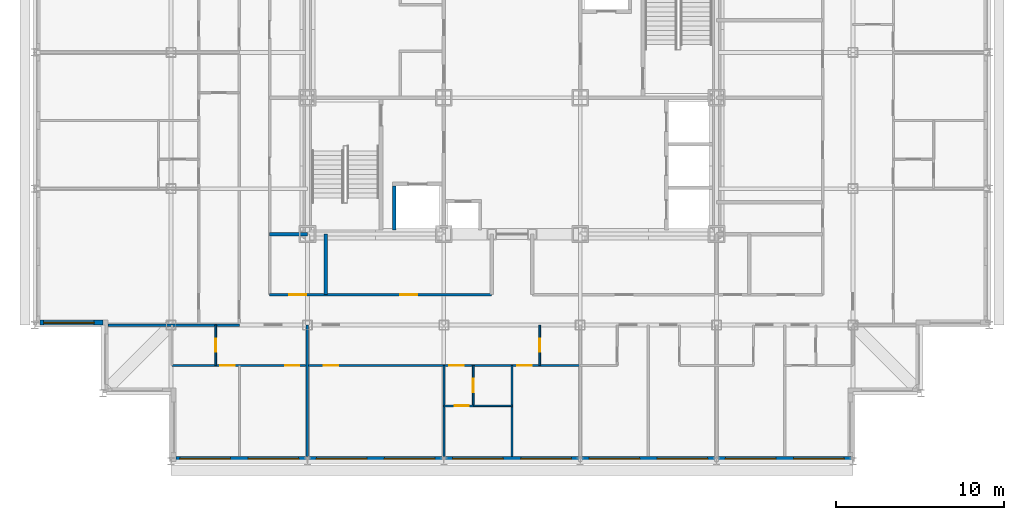
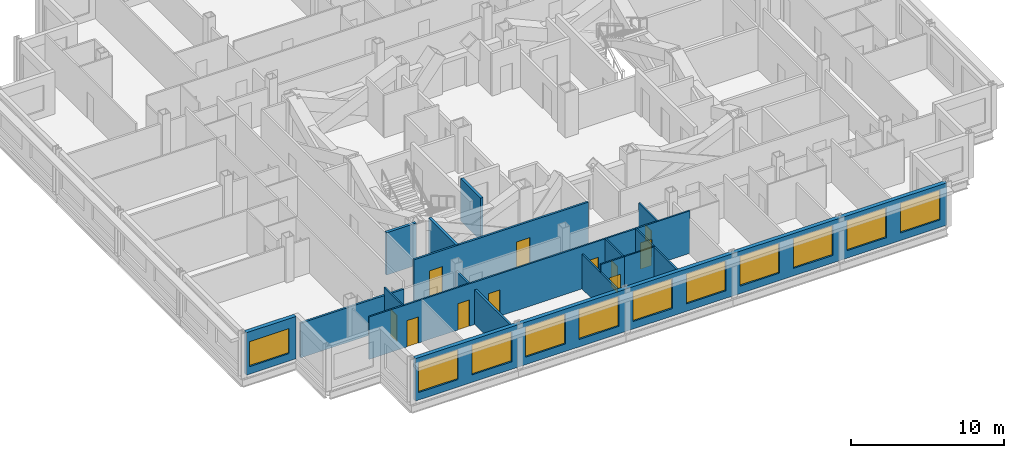
# One storey, part 4 of 12: 16 walls, 11 doors, 11 windows, 22 openings.
"""IFC4 building model written with IfcOpenShell, lengths in metres."""

import ifcopenshell
import ifcopenshell.guid

model = None  # the IFC model being written
_history = None  # IfcOwnerHistory: only IFC2X3 demands one
_inside = {}  # id of a spatial element -> (the spatial element, [elements in it])
_under = {}  # id of a project, library or spatial element -> (it, [spatial elements below it])
_declared = {}  # id of a project -> (the project, [libraries it declares])
_typed = {}  # id of a type object -> (the type object, [elements of that type])
_made_of = {}  # id of a material, layer set ... -> (it, [elements and type objects made of it])


def new_model(schema):
    """Start an empty IFC model of exactly this schema.

    Asked for "IFC4X3", IfcOpenShell would pick the latest addendum, in which some entities
    have other attributes; the version numbers below select the first issue.
    IFC2X3 requires an IfcOwnerHistory on every rooted entity: one is made here for all.
    """
    global model, _history
    if schema == "IFC4X3":
        model = ifcopenshell.file(schema_version=(4, 3, 0, 0))
    else:
        model = ifcopenshell.file(schema=schema)
    _inside.clear()
    _under.clear()
    _declared.clear()
    _typed.clear()
    _made_of.clear()
    _history = None
    if model.schema == "IFC2X3":
        org = make("IfcOrganization", Name="unknown")
        user = make(
            "IfcPersonAndOrganization",
            ThePerson=make("IfcPerson", FamilyName="unknown"),
            TheOrganization=org,
        )
        app = make(
            "IfcApplication",
            ApplicationDeveloper=org,
            Version="unknown",
            ApplicationFullName="unknown",
            ApplicationIdentifier="unknown",
        )
        _history = make(
            "IfcOwnerHistory",
            OwningUser=user,
            OwningApplication=app,
            ChangeAction="ADDED",
            CreationDate=0,
        )
    return model


def make(cls, **values):
    """One entity of the class cls with the attributes given. An attribute that is None is left unset."""
    return model.create_entity(
        cls, **{name: value for name, value in values.items() if value is not None}
    )


def rooted(cls, **values):
    """An entity with a GlobalId (a new one), such as an element, a storey or a relation."""
    return make(cls, GlobalId=ifcopenshell.guid.new(), OwnerHistory=_history, **values)


def si_unit(unit_type, name, prefix=None):
    """IfcSIUnit, for example si_unit("LENGTHUNIT", "METRE", prefix="MILLI")."""
    return make("IfcSIUnit", UnitType=unit_type, Prefix=prefix, Name=name)


def assignment(units):
    """IfcUnitAssignment: the units of a project."""
    return None if units is None else make("IfcUnitAssignment", Units=units)


def point(xyz):
    """IfcCartesianPoint."""
    return None if xyz is None else make("IfcCartesianPoint", Coordinates=xyz)


def direction(xyz):
    """IfcDirection."""
    return None if xyz is None else make("IfcDirection", DirectionRatios=xyz)


def frame(location, z_axis=None, x_axis=None):
    """IfcAxis2Placement3D, a coordinate frame: its origin and axes. An axis left out is left unset."""
    return make(
        "IfcAxis2Placement3D",
        Location=point(location),
        Axis=direction(z_axis),
        RefDirection=direction(x_axis),
    )


def frame_2d(location, x_axis=None):
    """IfcAxis2Placement2D, a coordinate frame in the plane: its origin and x axis."""
    return make(
        "IfcAxis2Placement2D", Location=point(location), RefDirection=direction(x_axis)
    )


def origin():
    """The frame at (0, 0, 0) with its axes left unset."""
    return frame((0.0, 0.0, 0.0))


def place(relative_to, where):
    """IfcLocalPlacement: puts the frame where relative to a parent placement (None: the world)."""
    return make(
        "IfcLocalPlacement", PlacementRelTo=relative_to, RelativePlacement=where
    )


def context(
    kind, dimensions, precision=None, world=None, true_north=None, identifier=None
):
    """IfcGeometricRepresentationContext, for example the 3D "Model" context."""
    return make(
        "IfcGeometricRepresentationContext",
        ContextIdentifier=identifier,
        ContextType=kind,
        CoordinateSpaceDimension=dimensions,
        Precision=precision,
        WorldCoordinateSystem=world,
        TrueNorth=true_north,
    )


def subcontext(parent, identifier, kind, view, scale=None):
    """IfcGeometricRepresentationSubContext, for example "Body" below "Model"."""
    return make(
        "IfcGeometricRepresentationSubContext",
        ContextIdentifier=identifier,
        ContextType=kind,
        ParentContext=parent,
        TargetScale=scale,
        TargetView=view,
    )


def project(units=None, contexts=None):
    """IfcProject with its units and contexts."""
    return rooted(
        "IfcProject",
        Name="project",
        RepresentationContexts=contexts,
        UnitsInContext=assignment(units),
    )


def spatial(cls, under=None, at=None, **own):
    """A site, building, storey or space (cls), placed at a placement, below another one or the project."""
    s = rooted(cls, ObjectPlacement=at, **own)
    if under is not None:
        _under.setdefault(under.id(), (under, []))[1].append(s)
    return s


def profile(cls, at=None, kind="AREA", **sizes):
    """A parametric profile (cls). Its sizes go by their IFC names, for example OverallWidth=200.0."""
    return make(cls, ProfileType=kind, Position=at, **sizes)


def rectangle(**sizes):
    """IfcRectangleProfileDef."""
    return profile("IfcRectangleProfileDef", **sizes)


def extrude(swept, where, along, depth):
    """IfcExtrudedAreaSolid: the profile swept, set in the frame where, extruded along a direction by depth."""
    return make(
        "IfcExtrudedAreaSolid",
        SweptArea=swept,
        Position=where,
        ExtrudedDirection=direction(along),
        Depth=depth,
    )


def shape(context_of_items, identifier, shape_type, items):
    """IfcShapeRepresentation: the items that make up one representation, for example the "Body"."""
    return make(
        "IfcShapeRepresentation",
        ContextOfItems=context_of_items,
        RepresentationIdentifier=identifier,
        RepresentationType=shape_type,
        Items=items,
    )


def material(Name=None, Category=None):
    """IfcMaterial."""
    return make("IfcMaterial", Name=Name, Category=Category)


def layer(
    of_material, thickness, ventilated=None, Name=None, Category=None, Priority=None
):
    """IfcMaterialLayer: one layer of a wall or slab, of a material (None: an air gap)."""
    return make(
        "IfcMaterialLayer",
        Material=of_material,
        LayerThickness=thickness,
        IsVentilated=ventilated,
        Name=Name,
        Category=Category,
        Priority=Priority,
    )


def layer_set(layers, Name=None):
    """IfcMaterialLayerSet."""
    return make("IfcMaterialLayerSet", MaterialLayers=layers, LayerSetName=Name)


def made_of(thing, what):
    """Note that an element or type object is made of a material, layer set ...; save() writes the relation."""
    if what is not None:
        _made_of.setdefault(what.id(), (what, []))[1].append(thing)
    return thing


def type_object(cls, material=None, **own):
    """A type object (cls), such as IfcWallType, which elements share."""
    return made_of(rooted(cls, **own), material)


def element(
    cls,
    number,
    at=None,
    inside=None,
    cuts=None,
    type_object=None,
    material=None,
    context=None,
    identifier="Body",
    shape_type=None,
    held_by="IfcProductDefinitionShape",
    body=None,
    shapes=None,
    **own,
):
    """One element of the class cls, such as IfcWall. Its Tag is "e" and its number.

    at: its placement. inside: the storey or other place that contains it. cuts: it is an
    opening in that element (IfcRelVoidsElement). A single representation is given by context,
    identifier, shape_type and body (its items); several are given by shapes. held_by: the class
    of the entity that holds the representations. save() writes the other relations.
    """
    e = rooted(cls, Tag="e%d" % number, ObjectPlacement=at, **own)
    if body is not None:
        shapes = [shape(context, identifier, shape_type, body)]
    if shapes is not None:
        e.Representation = make(held_by, Representations=shapes)
    if inside is not None:
        _inside.setdefault(inside.id(), (inside, []))[1].append(e)
    if cuts is not None:
        rooted(
            "IfcRelVoidsElement", RelatingBuildingElement=cuts, RelatedOpeningElement=e
        )
    if type_object is not None:
        _typed.setdefault(type_object.id(), (type_object, []))[1].append(e)
    return made_of(e, material)


def fill(opening, filler):
    """IfcRelFillsElement: the door or window that sits in an opening."""
    return rooted(
        "IfcRelFillsElement",
        RelatingOpeningElement=opening,
        RelatedBuildingElement=filler,
    )


def aggregate(whole, parts):
    """IfcRelAggregates: a whole, such as a stair, and the parts it consists of."""
    return rooted("IfcRelAggregates", RelatingObject=whole, RelatedObjects=parts)


def save(model, path):
    """Write the relations noted so far, then the file.

    IfcRelAggregates (storeys below a building ...), IfcRelContainedInSpatialStructure (elements
    in a storey), IfcRelDefinesByType, IfcRelAssociatesMaterial and IfcRelDeclares: one each for
    every whole, place, type object, material and project.
    """
    for whole, parts in _under.values():
        aggregate(whole, parts)
    for where, things in _inside.values():
        rooted(
            "IfcRelContainedInSpatialStructure",
            RelatedElements=things,
            RelatingStructure=where,
        )
    for kind, things in _typed.values():
        rooted("IfcRelDefinesByType", RelatedObjects=things, RelatingType=kind)
    for what, things in _made_of.values():
        rooted("IfcRelAssociatesMaterial", RelatedObjects=things, RelatingMaterial=what)
    for by, libraries in _declared.values():
        rooted("IfcRelDeclares", RelatingContext=by, RelatedDefinitions=libraries)
    model.write(path)


model = new_model("IFC4")

# Units and contexts
model_context = context("Model", 3, precision=1e-05, world=origin(), true_north=direction((0.0, 1.0)))
body_context = subcontext(model_context, "Body", "Model", "MODEL_VIEW")
ifc_project = project(units=[si_unit("LENGTHUNIT", "METRE"), si_unit("AREAUNIT", "SQUARE_METRE"), si_unit("VOLUMEUNIT", "CUBIC_METRE"), si_unit("PLANEANGLEUNIT", "RADIAN"), si_unit("MASSUNIT", "GRAM", prefix="KILO")], contexts=[model_context])

# Site, building, storey
site_placement = place(None, origin())
site = spatial("IfcSite", under=ifc_project, at=site_placement, CompositionType="ELEMENT")
building_placement = place(site_placement, origin())
building = spatial("IfcBuilding", under=site, at=building_placement, Name="Kopane Lantern Tower", CompositionType="ELEMENT")
storey_placement = place(building_placement, frame((0.0, 0.0, 213.60009765625)))
storey = spatial("IfcBuildingStorey", under=building, at=storey_placement, Name="L55", CompositionType="ELEMENT", Elevation=213.60009765625)

# Walls
ifc_material_1 = material(Name="Gypsum board on steel studs", Category="steel")
ifc_layer_1 = layer(ifc_material_1, 0.1201171875)
ifc_layer_set_1 = layer_set([ifc_layer_1], Name="APARTMENT INTERNAL WALL 120")
wall_type_1 = type_object("IfcWallType", Name="APARTMENT INTERNAL WALL 120", PredefinedType="PARTITIONING", material=ifc_layer_set_1)
wall_1_placement = place(storey_placement, frame((24.300048828125, 16.5, 0.0), z_axis=(0.0, 0.0, 1.0), x_axis=(0.0, -1.0, 0.0)))
element("IfcWall", 1, at=wall_1_placement, inside=storey, type_object=wall_type_1, Name="Apartment Internal Wall 120 L55", PredefinedType="PARTITIONING", context=body_context, shape_type="SweptSolid", body=[
    extrude(rectangle(XDim=5.39990234375, YDim=0.1201171875, at=frame_2d((2.699951171875, 0.0))), origin(), (0.0, 0.0, 1.0), 2.777587890625),
])
wall_2_placement = place(storey_placement, frame((28.35009765625, 16.5, 0.0), z_axis=(0.0, 0.0, 1.0), x_axis=(0.0, -1.0, 0.0)))
element("IfcWall", 2, at=wall_2_placement, inside=storey, type_object=wall_type_1, Name="Apartment Internal Wall 120 L55", PredefinedType="PARTITIONING", context=body_context, shape_type="SweptSolid", body=[
    extrude(rectangle(XDim=5.39990234375, YDim=0.1201171875, at=frame_2d((2.699951171875, 0.0))), origin(), (0.0, 0.0, 1.0), 3.389892578125),
])

# Wall, openings, doors
wall_3_placement = place(storey_placement, frame((8.14990234375, 16.5, 0.0), z_axis=(0.0, 0.0, 1.0), x_axis=(1.0, 0.0, 0.0)))
wall_3 = element("IfcWall", 3, at=wall_3_placement, inside=storey, type_object=wall_type_1, Name="Apartment Internal Wall 120 L55", PredefinedType="PARTITIONING", context=body_context, shape_type="SweptSolid", body=[
    extrude(rectangle(XDim=24.25, YDim=0.1201171875, at=frame_2d((12.125, 0.0))), origin(), (0.0, 0.0, 1.0), 3.389892578125),
])
opening_1_placement = place(wall_3_placement, frame((9.02490234375, 0.0, 0.0)))
opening_1 = element("IfcOpeningElement", 4, at=opening_1_placement, cuts=wall_3, Name="Opening L55-014", PredefinedType="OPENING", context=body_context, shape_type="SweptSolid", body=[
    extrude(rectangle(XDim=0.85009765625, YDim=2.10009765625, at=frame_2d((0.425048828125, 1.050048828125))), frame((0.0, 0.070068359375, 0.0), z_axis=(0.0, -1.0, 0.0), x_axis=(1.0, 0.0, 0.0)), (0.0, 0.0, 1.0), 0.14013671875),
])
opening_2_placement = place(wall_3_placement, frame((16.47509765625, 0.0, 0.0)))
opening_2 = element("IfcOpeningElement", 5, at=opening_2_placement, cuts=wall_3, Name="Opening L55-016", PredefinedType="OPENING", context=body_context, shape_type="SweptSolid", body=[
    extrude(rectangle(XDim=0.85009765625, YDim=2.10009765625, at=frame_2d((0.425048828125, 1.050048828125))), frame((0.0, 0.070068359375, 0.0), z_axis=(0.0, -1.0, 0.0), x_axis=(1.0, 0.0, 0.0)), (0.0, 0.0, 1.0), 0.14013671875),
])
opening_3_placement = place(wall_3_placement, frame((20.52490234375, 0.0, 0.0)))
opening_3 = element("IfcOpeningElement", 6, at=opening_3_placement, cuts=wall_3, Name="Opening L55-017", PredefinedType="OPENING", context=body_context, shape_type="SweptSolid", body=[
    extrude(rectangle(XDim=0.85009765625, YDim=2.10009765625, at=frame_2d((0.425048828125, 1.050048828125))), frame((0.0, 0.070068359375, 0.0), z_axis=(0.0, -1.0, 0.0), x_axis=(1.0, 0.0, 0.0)), (0.0, 0.0, 1.0), 0.14013671875),
])
opening_4_placement = place(wall_3_placement, frame((6.72509765625, 0.0, 0.0)))
opening_4 = element("IfcOpeningElement", 7, at=opening_4_placement, cuts=wall_3, Name="Opening L55-055", PredefinedType="OPENING", context=body_context, shape_type="SweptSolid", body=[
    extrude(rectangle(XDim=0.85009765625, YDim=2.10009765625, at=frame_2d((0.425048828125, 1.050048828125))), frame((0.0, 0.070068359375, 0.0), z_axis=(0.0, -1.0, 0.0), x_axis=(1.0, 0.0, 0.0)), (0.0, 0.0, 1.0), 0.14013671875),
])
opening_5_placement = place(wall_3_placement, frame((2.875, 0.0, 0.0)))
opening_5 = element("IfcOpeningElement", 8, at=opening_5_placement, cuts=wall_3, Name="Opening L55-057", PredefinedType="OPENING", context=body_context, shape_type="SweptSolid", body=[
    extrude(rectangle(XDim=0.85009765625, YDim=2.10009765625, at=frame_2d((0.425048828125, 1.050048828125))), frame((0.0, 0.070068359375, 0.0), z_axis=(0.0, -1.0, 0.0), x_axis=(1.0, 0.0, 0.0)), (0.0, 0.0, 1.0), 0.14013671875),
])
ifc_material_2 = material(Name="Timber door set", Category="wood")
door_type_1 = type_object("IfcDoorType", Name="DOOR D4 850x2100", OperationType="SINGLE_SWING_LEFT", PredefinedType="DOOR", material=ifc_material_2)
door_1_placement = place(opening_1_placement, origin())
door_1 = element("IfcDoor", 9, at=door_1_placement, inside=storey, type_object=door_type_1, Name="Door L55-014", OperationType="SINGLE_SWING_RIGHT", OverallHeight=2.10009765625, OverallWidth=0.85009765625, PredefinedType="DOOR", context=body_context, shape_type="SweptSolid", body=[
    extrude(rectangle(XDim=0.85009765625, YDim=2.10009765625, at=frame_2d((0.425048828125, 1.050048828125))), frame((0.0, 0.02490234375, 0.0), z_axis=(0.0, -1.0, 0.0), x_axis=(1.0, 0.0, 0.0)), (0.0, 0.0, 1.0), 0.050048828125),
])
fill(opening_1, door_1)
door_2_placement = place(opening_2_placement, origin())
door_2 = element("IfcDoor", 10, at=door_2_placement, inside=storey, type_object=door_type_1, Name="Door L55-016", OperationType="SINGLE_SWING_RIGHT", OverallHeight=2.10009765625, OverallWidth=0.85009765625, PredefinedType="DOOR", context=body_context, shape_type="SweptSolid", body=[
    extrude(rectangle(XDim=0.85009765625, YDim=2.10009765625, at=frame_2d((0.425048828125, 1.050048828125))), frame((0.0, 0.02490234375, 0.0), z_axis=(0.0, -1.0, 0.0), x_axis=(1.0, 0.0, 0.0)), (0.0, 0.0, 1.0), 0.050048828125),
])
fill(opening_2, door_2)
door_3_placement = place(opening_3_placement, origin())
door_3 = element("IfcDoor", 11, at=door_3_placement, inside=storey, type_object=door_type_1, Name="Door L55-017", OperationType="SINGLE_SWING_RIGHT", OverallHeight=2.10009765625, OverallWidth=0.85009765625, PredefinedType="DOOR", context=body_context, shape_type="SweptSolid", body=[
    extrude(rectangle(XDim=0.85009765625, YDim=2.10009765625, at=frame_2d((0.425048828125, 1.050048828125))), frame((0.0, 0.02490234375, 0.0), z_axis=(0.0, -1.0, 0.0), x_axis=(1.0, 0.0, 0.0)), (0.0, 0.0, 1.0), 0.050048828125),
])
fill(opening_3, door_3)
door_4_placement = place(opening_4_placement, origin())
door_4 = element("IfcDoor", 12, at=door_4_placement, inside=storey, type_object=door_type_1, Name="Door L55-055", OperationType="SINGLE_SWING_RIGHT", OverallHeight=2.10009765625, OverallWidth=0.85009765625, PredefinedType="DOOR", context=body_context, shape_type="SweptSolid", body=[
    extrude(rectangle(XDim=0.85009765625, YDim=2.10009765625, at=frame_2d((0.425048828125, 1.050048828125))), frame((0.0, 0.02490234375, 0.0), z_axis=(0.0, -1.0, 0.0), x_axis=(1.0, 0.0, 0.0)), (0.0, 0.0, 1.0), 0.050048828125),
])
fill(opening_4, door_4)
door_5_placement = place(opening_5_placement, origin())
door_5 = element("IfcDoor", 13, at=door_5_placement, inside=storey, type_object=door_type_1, Name="Door L55-057", OperationType="SINGLE_SWING_LEFT", OverallHeight=2.10009765625, OverallWidth=0.85009765625, PredefinedType="DOOR", context=body_context, shape_type="SweptSolid", body=[
    extrude(rectangle(XDim=0.85009765625, YDim=2.10009765625, at=frame_2d((0.425048828125, 1.050048828125))), frame((0.0, 0.02490234375, 0.0), z_axis=(0.0, -1.0, 0.0), x_axis=(1.0, 0.0, 0.0)), (0.0, 0.0, 1.0), 0.050048828125),
])
fill(opening_5, door_5)

# Wall, opening, door
wall_4_placement = place(storey_placement, frame((26.06005859375, 14.10009765625, 0.0), z_axis=(0.0, 0.0, 1.0), x_axis=(-1.0, 0.0, 0.0)))
wall_4 = element("IfcWall", 14, at=wall_4_placement, inside=storey, type_object=wall_type_1, Name="Apartment Internal Wall 120 L55", PredefinedType="PARTITIONING", context=body_context, shape_type="SweptSolid", body=[
    extrude(rectangle(XDim=1.760009765625, YDim=0.1201171875, at=frame_2d((0.8798828125, 0.0))), origin(), (0.0, 0.0, 1.0), 3.389892578125),
])
opening_6_placement = place(wall_4_placement, frame((0.27490234375, 0.0, 0.0)))
opening_6 = element("IfcOpeningElement", 15, at=opening_6_placement, cuts=wall_4, Name="Opening L55-069", PredefinedType="OPENING", context=body_context, shape_type="SweptSolid", body=[
    extrude(rectangle(XDim=0.85009765625, YDim=2.10009765625, at=frame_2d((0.425048828125, 1.050048828125))), frame((0.0, 0.070068359375, 0.0), z_axis=(0.0, -1.0, 0.0), x_axis=(1.0, 0.0, 0.0)), (0.0, 0.0, 1.0), 0.14013671875),
])
door_6_placement = place(opening_6_placement, origin())
door_6 = element("IfcDoor", 16, at=door_6_placement, inside=storey, type_object=door_type_1, Name="Door L55-069", OperationType="SINGLE_SWING_RIGHT", OverallHeight=2.10009765625, OverallWidth=0.85009765625, PredefinedType="DOOR", context=body_context, shape_type="SweptSolid", body=[
    extrude(rectangle(XDim=0.85009765625, YDim=2.10009765625, at=frame_2d((0.425048828125, 1.050048828125))), frame((0.0, 0.02490234375, 0.0), z_axis=(0.0, -1.0, 0.0), x_axis=(1.0, 0.0, 0.0)), (0.0, 0.0, 1.0), 0.050048828125),
])
fill(opening_6, door_6)

ifc_material_3 = material(Name="Moisture-resistant board on steel studs", Category="steel")
ifc_layer_2 = layer(ifc_material_3, 0.10009765625)
ifc_layer_set_2 = layer_set([ifc_layer_2], Name="BATHROOM WALL 100")
wall_type_2 = type_object("IfcWallType", Name="BATHROOM WALL 100", PredefinedType="PARTITIONING", material=ifc_layer_set_2)
wall_5_placement = place(storey_placement, frame((30.0, 18.89990234375, 0.0), z_axis=(0.0, 0.0, 1.0), x_axis=(0.0, -1.0, 0.0)))
wall_5 = element("IfcWall", 17, at=wall_5_placement, inside=storey, type_object=wall_type_2, Name="Bathroom Wall 100 L55", PredefinedType="PARTITIONING", context=body_context, shape_type="SweptSolid", body=[
    extrude(rectangle(XDim=2.39990234375, YDim=0.10009765625, at=frame_2d((1.199951171875, 0.0))), origin(), (0.0, 0.0, 1.0), 3.389892578125),
])
opening_7_placement = place(wall_5_placement, frame((0.800048828125, 0.0, 0.0)))
opening_7 = element("IfcOpeningElement", 18, at=opening_7_placement, cuts=wall_5, Name="Opening L55-012", PredefinedType="OPENING", context=body_context, shape_type="SweptSolid", body=[
    extrude(rectangle(XDim=0.800048828125, YDim=2.10009765625, at=frame_2d((0.39990234375, 1.050048828125))), frame((0.0, 0.06005859375, 0.0), z_axis=(0.0, -1.0, 0.0), x_axis=(1.0, 0.0, 0.0)), (0.0, 0.0, 1.0), 0.1201171875),
])
ifc_material_4 = material(Name="Timber door set", Category="wood")
door_type_2 = type_object("IfcDoorType", Name="DOOR D2 800x2100", OperationType="SINGLE_SWING_LEFT", PredefinedType="DOOR", material=ifc_material_4)
door_7_placement = place(opening_7_placement, origin())
door_7 = element("IfcDoor", 19, at=door_7_placement, inside=storey, type_object=door_type_2, Name="Door L55-012", OperationType="SINGLE_SWING_LEFT", OverallHeight=2.10009765625, OverallWidth=0.800048828125, PredefinedType="DOOR", context=body_context, shape_type="SweptSolid", body=[
    extrude(rectangle(XDim=0.800048828125, YDim=2.10009765625, at=frame_2d((0.39990234375, 1.050048828125))), frame((0.0, 0.02490234375, 0.0), z_axis=(0.0, -1.0, 0.0), x_axis=(1.0, 0.0, 0.0)), (0.0, 0.0, 1.0), 0.050048828125),
])
fill(opening_7, door_7)

wall_6_placement = place(storey_placement, frame((26.050048828125, 16.5, 0.0), z_axis=(0.0, 0.0, 1.0), x_axis=(0.0, -1.0, 0.0)))
wall_6 = element("IfcWall", 20, at=wall_6_placement, inside=storey, type_object=wall_type_2, Name="Bathroom Wall 100 L55", PredefinedType="PARTITIONING", context=body_context, shape_type="SweptSolid", body=[
    extrude(rectangle(XDim=2.39990234375, YDim=0.10009765625, at=frame_2d((1.199951171875, 0.0))), origin(), (0.0, 0.0, 1.0), 3.389892578125),
])
opening_8_placement = place(wall_6_placement, frame((0.800048828125, 0.0, 0.0)))
opening_8 = element("IfcOpeningElement", 21, at=opening_8_placement, cuts=wall_6, Name="Opening L55-015", PredefinedType="OPENING", context=body_context, shape_type="SweptSolid", body=[
    extrude(rectangle(XDim=0.800048828125, YDim=2.10009765625, at=frame_2d((0.39990234375, 1.050048828125))), frame((0.0, 0.06005859375, 0.0), z_axis=(0.0, -1.0, 0.0), x_axis=(1.0, 0.0, 0.0)), (0.0, 0.0, 1.0), 0.1201171875),
])
door_8_placement = place(opening_8_placement, origin())
door_8 = element("IfcDoor", 22, at=door_8_placement, inside=storey, type_object=door_type_2, Name="Door L55-015", OperationType="SINGLE_SWING_LEFT", OverallHeight=2.10009765625, OverallWidth=0.800048828125, PredefinedType="DOOR", context=body_context, shape_type="SweptSolid", body=[
    extrude(rectangle(XDim=0.800048828125, YDim=2.10009765625, at=frame_2d((0.39990234375, 1.050048828125))), frame((0.0, 0.02490234375, 0.0), z_axis=(0.0, -1.0, 0.0), x_axis=(1.0, 0.0, 0.0)), (0.0, 0.0, 1.0), 0.050048828125),
])
fill(opening_8, door_8)

# Wall
wall_7_placement = place(storey_placement, frame((26.050048828125, 14.10009765625, 0.0), z_axis=(0.0, 0.0, 1.0), x_axis=(1.0, 0.0, 0.0)))
element("IfcWall", 23, at=wall_7_placement, inside=storey, type_object=wall_type_2, Name="Bathroom Wall 100 L55", PredefinedType="PARTITIONING", context=body_context, shape_type="SweptSolid", body=[
    extrude(rectangle(XDim=2.300048828125, YDim=0.10009765625, at=frame_2d((1.14990234375, 0.0))), origin(), (0.0, 0.0, 1.0), 3.389892578125),
])

# Wall, opening, door
wall_8_placement = place(storey_placement, frame((10.75, 18.89990234375, 0.0), z_axis=(0.0, 0.0, 1.0), x_axis=(0.0, -1.0, 0.0)))
wall_8 = element("IfcWall", 24, at=wall_8_placement, inside=storey, type_object=wall_type_2, Name="Bathroom Wall 100 L55", PredefinedType="PARTITIONING", context=body_context, shape_type="SweptSolid", body=[
    extrude(rectangle(XDim=2.39990234375, YDim=0.10009765625, at=frame_2d((1.199951171875, 0.0))), origin(), (0.0, 0.0, 1.0), 3.389892578125),
])
opening_9_placement = place(wall_8_placement, frame((0.800048828125, 0.0, 0.0)))
opening_9 = element("IfcOpeningElement", 25, at=opening_9_placement, cuts=wall_8, Name="Opening L55-056", PredefinedType="OPENING", context=body_context, shape_type="SweptSolid", body=[
    extrude(rectangle(XDim=0.800048828125, YDim=2.10009765625, at=frame_2d((0.39990234375, 1.050048828125))), frame((0.0, 0.06005859375, 0.0), z_axis=(0.0, -1.0, 0.0), x_axis=(1.0, 0.0, 0.0)), (0.0, 0.0, 1.0), 0.1201171875),
])
door_9_placement = place(opening_9_placement, origin())
door_9 = element("IfcDoor", 26, at=door_9_placement, inside=storey, type_object=door_type_2, Name="Door L55-056", OperationType="SINGLE_SWING_RIGHT", OverallHeight=2.10009765625, OverallWidth=0.800048828125, PredefinedType="DOOR", context=body_context, shape_type="SweptSolid", body=[
    extrude(rectangle(XDim=0.800048828125, YDim=2.10009765625, at=frame_2d((0.39990234375, 1.050048828125))), frame((0.0, 0.02490234375, 0.0), z_axis=(0.0, -1.0, 0.0), x_axis=(1.0, 0.0, 0.0)), (0.0, 0.0, 1.0), 0.050048828125),
])
fill(opening_9, door_9)

# Wall, openings, doors
ifc_material_5 = material(Name="Gypsum board on steel studs", Category="steel")
ifc_layer_3 = layer(ifc_material_5, 0.14990234375)
ifc_layer_set_3 = layer_set([ifc_layer_3], Name="CORRIDOR WALL 150 EI 60")
wall_type_3 = type_object("IfcWallType", Name="CORRIDOR WALL 150 EI 60", PredefinedType="PARTITIONING", material=ifc_layer_set_3)
wall_9_placement = place(storey_placement, frame((13.949951171875, 20.699951171875, 0.0), z_axis=(0.0, 0.0, 1.0), x_axis=(1.0, 0.0, 0.0)))
wall_9 = element("IfcWall", 27, at=wall_9_placement, inside=storey, type_object=wall_type_3, Name="Corridor Wall 150 Ei 60 L55", PredefinedType="PARTITIONING", context=body_context, shape_type="SweptSolid", body=[
    extrude(rectangle(XDim=13.18994140625, YDim=0.14990234375, at=frame_2d((6.594970703125, 0.0))), origin(), (0.0, 0.0, 1.0), 3.389892578125),
])
opening_10_placement = place(wall_9_placement, frame((1.166748046875, 0.0, 0.0)))
opening_10 = element("IfcOpeningElement", 28, at=opening_10_placement, cuts=wall_9, Name="Opening L55-007", PredefinedType="OPENING", context=body_context, shape_type="SweptSolid", body=[
    extrude(rectangle(XDim=1.0, YDim=2.10009765625, at=frame_2d((0.5, 1.050048828125))), frame((0.0, 0.0849609375, 0.0), z_axis=(0.0, -1.0, 0.0), x_axis=(1.0, 0.0, 0.0)), (0.0, 0.0, 1.0), 0.169921875),
])
opening_11_placement = place(wall_9_placement, frame((7.7666015625, 0.0, 0.0)))
opening_11 = element("IfcOpeningElement", 29, at=opening_11_placement, cuts=wall_9, Name="Opening L55-008", PredefinedType="OPENING", context=body_context, shape_type="SweptSolid", body=[
    extrude(rectangle(XDim=1.0, YDim=2.10009765625, at=frame_2d((0.5, 1.050048828125))), frame((0.0, 0.0849609375, 0.0), z_axis=(0.0, -1.0, 0.0), x_axis=(1.0, 0.0, 0.0)), (0.0, 0.0, 1.0), 0.169921875),
])
ifc_material_6 = material(Name="Steel door set", Category="steel")
door_type_3 = type_object("IfcDoorType", Name="DOOR D5 1000x2100 FD60", OperationType="SINGLE_SWING_LEFT", PredefinedType="DOOR", material=ifc_material_6)
door_10_placement = place(opening_10_placement, origin())
door_10 = element("IfcDoor", 30, at=door_10_placement, inside=storey, type_object=door_type_3, Name="Door L55-007", OperationType="SINGLE_SWING_LEFT", OverallHeight=2.10009765625, OverallWidth=1.0, PredefinedType="DOOR", context=body_context, shape_type="SweptSolid", body=[
    extrude(rectangle(XDim=1.0, YDim=2.10009765625, at=frame_2d((0.5, 1.050048828125))), frame((0.0, 0.02490234375, 0.0), z_axis=(0.0, -1.0, 0.0), x_axis=(1.0, 0.0, 0.0)), (0.0, 0.0, 1.0), 0.050048828125),
])
fill(opening_10, door_10)
door_11_placement = place(opening_11_placement, origin())
door_11 = element("IfcDoor", 31, at=door_11_placement, inside=storey, type_object=door_type_3, Name="Door L55-008", OperationType="SINGLE_SWING_RIGHT", OverallHeight=2.10009765625, OverallWidth=1.0, PredefinedType="DOOR", context=body_context, shape_type="SweptSolid", body=[
    extrude(rectangle(XDim=1.0, YDim=2.10009765625, at=frame_2d((0.5, 1.050048828125))), frame((0.0, 0.02490234375, 0.0), z_axis=(0.0, -1.0, 0.0), x_axis=(1.0, 0.0, 0.0)), (0.0, 0.0, 1.0), 0.050048828125),
])
fill(opening_11, door_11)

# Walls
ifc_material_7 = material(Name="Gypsum board on steel studs", Category="steel")
ifc_layer_4 = layer(ifc_material_7, 0.14990234375)
ifc_layer_set_4 = layer_set([ifc_layer_4], Name="DEMISING WALL 150 EI 60")
wall_type_4 = type_object("IfcWallType", Name="DEMISING WALL 150 EI 60", PredefinedType="PARTITIONING", material=ifc_layer_set_4)
for number, where, z_axis, x_axis, name in (
    (32, (4.35009765625, 18.89990234375, 0.0), (0.0, 0.0, 1.0), (1.0, 0.0, 0.0), "Demising Wall 150 Ei 60 L55"),
    (33, (16.199951171875, 18.89990234375, 0.0), (0.0, 0.0, 1.0), (0.0, -1.0, 0.0), "Demising Wall 150 Ei 60 L55"),
):
    element("IfcWall", number, at=place(storey_placement, frame(where, z_axis=z_axis, x_axis=x_axis)), inside=storey, type_object=wall_type_4, Name=name, PredefinedType="PARTITIONING", context=body_context, shape_type="SweptSolid", body=[
        extrude(rectangle(XDim=7.7998046875, YDim=0.14990234375, at=frame_2d((3.89990234375, 0.0))), origin(), (0.0, 0.0, 1.0), 2.777587890625),
    ])

# Wall, openings, windows
ifc_material_8 = material(Name="Terracotta rainscreen on light steel framing", Category="masonry")
ifc_layer_5 = layer(ifc_material_8, 0.300048828125)
ifc_layer_set_5 = layer_set([ifc_layer_5], Name="EXTERNAL WALL EW1 300 TERRACOTTA")
wall_type_5 = type_object("IfcWallType", Name="EXTERNAL WALL EW1 300 TERRACOTTA", PredefinedType="SOLIDWALL", material=ifc_layer_set_5)
wall_10_placement = place(storey_placement, frame((8.39990234375, 10.949951171875, 0.0), z_axis=(0.0, 0.0, 1.0), x_axis=(1.0, 0.0, 0.0)))
wall_10 = element("IfcWall", 34, at=wall_10_placement, inside=storey, type_object=wall_type_5, Name="External wall S L55", PredefinedType="SOLIDWALL", context=body_context, shape_type="SweptSolid", body=[
    extrude(rectangle(XDim=40.2001953125, YDim=0.300048828125, at=frame_2d((20.10009765625, 0.0))), origin(), (0.0, 0.0, 1.0), 3.389892578125),
])
opening_12_placement = place(wall_10_placement, frame((0.22509765625, 0.0, 0.60009765625)))
opening_12 = element("IfcOpeningElement", 35, at=opening_12_placement, cuts=wall_10, Name="Opening WR300240", PredefinedType="OPENING", context=body_context, shape_type="SweptSolid", body=[
    extrude(rectangle(XDim=3.0, YDim=2.39990234375, at=frame_2d((1.5, 1.199951171875))), frame((0.0, 0.159912109375, 0.0), z_axis=(0.0, -1.0, 0.0), x_axis=(1.0, 0.0, 0.0)), (0.0, 0.0, 1.0), 0.320068359375),
])
opening_13_placement = place(wall_10_placement, frame((4.27490234375, 0.0, 0.60009765625)))
opening_13 = element("IfcOpeningElement", 36, at=opening_13_placement, cuts=wall_10, Name="Opening WR300240", PredefinedType="OPENING", context=body_context, shape_type="SweptSolid", body=[
    extrude(rectangle(XDim=3.0, YDim=2.39990234375, at=frame_2d((1.5, 1.199951171875))), frame((0.0, 0.159912109375, 0.0), z_axis=(0.0, -1.0, 0.0), x_axis=(1.0, 0.0, 0.0)), (0.0, 0.0, 1.0), 0.320068359375),
])
opening_14_placement = place(wall_10_placement, frame((8.324951171875, 0.0, 0.60009765625)))
opening_14 = element("IfcOpeningElement", 37, at=opening_14_placement, cuts=wall_10, Name="Opening WR300240", PredefinedType="OPENING", context=body_context, shape_type="SweptSolid", body=[
    extrude(rectangle(XDim=3.0, YDim=2.39990234375, at=frame_2d((1.5, 1.199951171875))), frame((0.0, 0.159912109375, 0.0), z_axis=(0.0, -1.0, 0.0), x_axis=(1.0, 0.0, 0.0)), (0.0, 0.0, 1.0), 0.320068359375),
])
opening_15_placement = place(wall_10_placement, frame((12.375, 0.0, 0.60009765625)))
opening_15 = element("IfcOpeningElement", 38, at=opening_15_placement, cuts=wall_10, Name="Opening WR300240", PredefinedType="OPENING", context=body_context, shape_type="SweptSolid", body=[
    extrude(rectangle(XDim=3.0, YDim=2.39990234375, at=frame_2d((1.5, 1.199951171875))), frame((0.0, 0.159912109375, 0.0), z_axis=(0.0, -1.0, 0.0), x_axis=(1.0, 0.0, 0.0)), (0.0, 0.0, 1.0), 0.320068359375),
])
opening_16_placement = place(wall_10_placement, frame((16.425048828125, 0.0, 0.60009765625)))
opening_16 = element("IfcOpeningElement", 39, at=opening_16_placement, cuts=wall_10, Name="Opening WR300240", PredefinedType="OPENING", context=body_context, shape_type="SweptSolid", body=[
    extrude(rectangle(XDim=3.0, YDim=2.39990234375, at=frame_2d((1.5, 1.199951171875))), frame((0.0, 0.159912109375, 0.0), z_axis=(0.0, -1.0, 0.0), x_axis=(1.0, 0.0, 0.0)), (0.0, 0.0, 1.0), 0.320068359375),
])
opening_17_placement = place(wall_10_placement, frame((20.47509765625, 0.0, 0.60009765625)))
opening_17 = element("IfcOpeningElement", 40, at=opening_17_placement, cuts=wall_10, Name="Opening WR300240", PredefinedType="OPENING", context=body_context, shape_type="SweptSolid", body=[
    extrude(rectangle(XDim=3.0, YDim=2.39990234375, at=frame_2d((1.5, 1.199951171875))), frame((0.0, 0.159912109375, 0.0), z_axis=(0.0, -1.0, 0.0), x_axis=(1.0, 0.0, 0.0)), (0.0, 0.0, 1.0), 0.320068359375),
])
opening_18_placement = place(wall_10_placement, frame((24.52490234375, 0.0, 0.60009765625)))
opening_18 = element("IfcOpeningElement", 41, at=opening_18_placement, cuts=wall_10, Name="Opening WR300240", PredefinedType="OPENING", context=body_context, shape_type="SweptSolid", body=[
    extrude(rectangle(XDim=3.0, YDim=2.39990234375, at=frame_2d((1.5, 1.199951171875))), frame((0.0, 0.159912109375, 0.0), z_axis=(0.0, -1.0, 0.0), x_axis=(1.0, 0.0, 0.0)), (0.0, 0.0, 1.0), 0.320068359375),
])
opening_19_placement = place(wall_10_placement, frame((28.574951171875, 0.0, 0.60009765625)))
opening_19 = element("IfcOpeningElement", 42, at=opening_19_placement, cuts=wall_10, Name="Opening WR300240", PredefinedType="OPENING", context=body_context, shape_type="SweptSolid", body=[
    extrude(rectangle(XDim=3.0, YDim=2.39990234375, at=frame_2d((1.5, 1.199951171875))), frame((0.0, 0.159912109375, 0.0), z_axis=(0.0, -1.0, 0.0), x_axis=(1.0, 0.0, 0.0)), (0.0, 0.0, 1.0), 0.320068359375),
])
opening_20_placement = place(wall_10_placement, frame((32.625, 0.0, 0.60009765625)))
opening_20 = element("IfcOpeningElement", 43, at=opening_20_placement, cuts=wall_10, Name="Opening WR300240", PredefinedType="OPENING", context=body_context, shape_type="SweptSolid", body=[
    extrude(rectangle(XDim=3.0, YDim=2.39990234375, at=frame_2d((1.5, 1.199951171875))), frame((0.0, 0.159912109375, 0.0), z_axis=(0.0, -1.0, 0.0), x_axis=(1.0, 0.0, 0.0)), (0.0, 0.0, 1.0), 0.320068359375),
])
opening_21_placement = place(wall_10_placement, frame((36.675048828125, 0.0, 0.60009765625)))
opening_21 = element("IfcOpeningElement", 44, at=opening_21_placement, cuts=wall_10, Name="Opening WR300240", PredefinedType="OPENING", context=body_context, shape_type="SweptSolid", body=[
    extrude(rectangle(XDim=3.0, YDim=2.39990234375, at=frame_2d((1.5, 1.199951171875))), frame((0.0, 0.159912109375, 0.0), z_axis=(0.0, -1.0, 0.0), x_axis=(1.0, 0.0, 0.0)), (0.0, 0.0, 1.0), 0.320068359375),
])
ifc_material_9 = material(Name="Aluminium and clear glass", Category="aluminium")
window_type_1 = type_object("IfcWindowType", Name="RIBBON WINDOW WR300240 3000x2400", PartitioningType="SINGLE_PANEL", PredefinedType="WINDOW", material=ifc_material_9)
window_1_placement = place(opening_12_placement, origin())
window_1 = element("IfcWindow", 45, at=window_1_placement, inside=storey, type_object=window_type_1, Name="Window S L55", OverallHeight=2.39990234375, OverallWidth=3.0, PartitioningType="SINGLE_PANEL", PredefinedType="WINDOW", context=body_context, shape_type="SweptSolid", body=[
    extrude(rectangle(XDim=3.0, YDim=2.39990234375, at=frame_2d((1.5, 1.199951171875))), frame((0.0, 0.030029296875, 0.0), z_axis=(0.0, -1.0, 0.0), x_axis=(1.0, 0.0, 0.0)), (0.0, 0.0, 1.0), 0.06005859375),
])
fill(opening_12, window_1)
window_2_placement = place(opening_13_placement, origin())
window_2 = element("IfcWindow", 46, at=window_2_placement, inside=storey, type_object=window_type_1, Name="Window S L55", OverallHeight=2.39990234375, OverallWidth=3.0, PartitioningType="SINGLE_PANEL", PredefinedType="WINDOW", context=body_context, shape_type="SweptSolid", body=[
    extrude(rectangle(XDim=3.0, YDim=2.39990234375, at=frame_2d((1.5, 1.199951171875))), frame((0.0, 0.030029296875, 0.0), z_axis=(0.0, -1.0, 0.0), x_axis=(1.0, 0.0, 0.0)), (0.0, 0.0, 1.0), 0.06005859375),
])
fill(opening_13, window_2)
window_3_placement = place(opening_14_placement, origin())
window_3 = element("IfcWindow", 47, at=window_3_placement, inside=storey, type_object=window_type_1, Name="Window S L55", OverallHeight=2.39990234375, OverallWidth=3.0, PartitioningType="SINGLE_PANEL", PredefinedType="WINDOW", context=body_context, shape_type="SweptSolid", body=[
    extrude(rectangle(XDim=3.0, YDim=2.39990234375, at=frame_2d((1.5, 1.199951171875))), frame((0.0, 0.030029296875, 0.0), z_axis=(0.0, -1.0, 0.0), x_axis=(1.0, 0.0, 0.0)), (0.0, 0.0, 1.0), 0.06005859375),
])
fill(opening_14, window_3)
window_4_placement = place(opening_15_placement, origin())
window_4 = element("IfcWindow", 48, at=window_4_placement, inside=storey, type_object=window_type_1, Name="Window S L55", OverallHeight=2.39990234375, OverallWidth=3.0, PartitioningType="SINGLE_PANEL", PredefinedType="WINDOW", context=body_context, shape_type="SweptSolid", body=[
    extrude(rectangle(XDim=3.0, YDim=2.39990234375, at=frame_2d((1.5, 1.199951171875))), frame((0.0, 0.030029296875, 0.0), z_axis=(0.0, -1.0, 0.0), x_axis=(1.0, 0.0, 0.0)), (0.0, 0.0, 1.0), 0.06005859375),
])
fill(opening_15, window_4)
window_5_placement = place(opening_16_placement, origin())
window_5 = element("IfcWindow", 49, at=window_5_placement, inside=storey, type_object=window_type_1, Name="Window S L55", OverallHeight=2.39990234375, OverallWidth=3.0, PartitioningType="SINGLE_PANEL", PredefinedType="WINDOW", context=body_context, shape_type="SweptSolid", body=[
    extrude(rectangle(XDim=3.0, YDim=2.39990234375, at=frame_2d((1.5, 1.199951171875))), frame((0.0, 0.030029296875, 0.0), z_axis=(0.0, -1.0, 0.0), x_axis=(1.0, 0.0, 0.0)), (0.0, 0.0, 1.0), 0.06005859375),
])
fill(opening_16, window_5)
window_6_placement = place(opening_17_placement, origin())
window_6 = element("IfcWindow", 50, at=window_6_placement, inside=storey, type_object=window_type_1, Name="Window S L55", OverallHeight=2.39990234375, OverallWidth=3.0, PartitioningType="SINGLE_PANEL", PredefinedType="WINDOW", context=body_context, shape_type="SweptSolid", body=[
    extrude(rectangle(XDim=3.0, YDim=2.39990234375, at=frame_2d((1.5, 1.199951171875))), frame((0.0, 0.030029296875, 0.0), z_axis=(0.0, -1.0, 0.0), x_axis=(1.0, 0.0, 0.0)), (0.0, 0.0, 1.0), 0.06005859375),
])
fill(opening_17, window_6)
window_7_placement = place(opening_18_placement, origin())
window_7 = element("IfcWindow", 51, at=window_7_placement, inside=storey, type_object=window_type_1, Name="Window S L55", OverallHeight=2.39990234375, OverallWidth=3.0, PartitioningType="SINGLE_PANEL", PredefinedType="WINDOW", context=body_context, shape_type="SweptSolid", body=[
    extrude(rectangle(XDim=3.0, YDim=2.39990234375, at=frame_2d((1.5, 1.199951171875))), frame((0.0, 0.030029296875, 0.0), z_axis=(0.0, -1.0, 0.0), x_axis=(1.0, 0.0, 0.0)), (0.0, 0.0, 1.0), 0.06005859375),
])
fill(opening_18, window_7)
window_8_placement = place(opening_19_placement, origin())
window_8 = element("IfcWindow", 52, at=window_8_placement, inside=storey, type_object=window_type_1, Name="Window S L55", OverallHeight=2.39990234375, OverallWidth=3.0, PartitioningType="SINGLE_PANEL", PredefinedType="WINDOW", context=body_context, shape_type="SweptSolid", body=[
    extrude(rectangle(XDim=3.0, YDim=2.39990234375, at=frame_2d((1.5, 1.199951171875))), frame((0.0, 0.030029296875, 0.0), z_axis=(0.0, -1.0, 0.0), x_axis=(1.0, 0.0, 0.0)), (0.0, 0.0, 1.0), 0.06005859375),
])
fill(opening_19, window_8)
window_9_placement = place(opening_20_placement, origin())
window_9 = element("IfcWindow", 53, at=window_9_placement, inside=storey, type_object=window_type_1, Name="Window S L55", OverallHeight=2.39990234375, OverallWidth=3.0, PartitioningType="SINGLE_PANEL", PredefinedType="WINDOW", context=body_context, shape_type="SweptSolid", body=[
    extrude(rectangle(XDim=3.0, YDim=2.39990234375, at=frame_2d((1.5, 1.199951171875))), frame((0.0, 0.030029296875, 0.0), z_axis=(0.0, -1.0, 0.0), x_axis=(1.0, 0.0, 0.0)), (0.0, 0.0, 1.0), 0.06005859375),
])
fill(opening_20, window_9)
window_10_placement = place(opening_21_placement, origin())
window_10 = element("IfcWindow", 54, at=window_10_placement, inside=storey, type_object=window_type_1, Name="Window S L55", OverallHeight=2.39990234375, OverallWidth=3.0, PartitioningType="SINGLE_PANEL", PredefinedType="WINDOW", context=body_context, shape_type="SweptSolid", body=[
    extrude(rectangle(XDim=3.0, YDim=2.39990234375, at=frame_2d((1.5, 1.199951171875))), frame((0.0, 0.030029296875, 0.0), z_axis=(0.0, -1.0, 0.0), x_axis=(1.0, 0.0, 0.0)), (0.0, 0.0, 1.0), 0.06005859375),
])
fill(opening_21, window_10)

# Wall, opening, window
wall_11_placement = place(storey_placement, frame((0.300048828125, 19.050048828125, 0.0), z_axis=(0.0, 0.0, 1.0), x_axis=(1.0, 0.0, 0.0)))
wall_11 = element("IfcWall", 55, at=wall_11_placement, inside=storey, type_object=wall_type_5, Name="External wall S L55", PredefinedType="SOLIDWALL", context=body_context, shape_type="SweptSolid", body=[
    extrude(rectangle(XDim=3.75, YDim=0.300048828125, at=frame_2d((1.875, 0.0))), origin(), (0.0, 0.0, 1.0), 3.389892578125),
])
opening_22_placement = place(wall_11_placement, frame((0.22509765625, 0.0, 0.60009765625)))
opening_22 = element("IfcOpeningElement", 56, at=opening_22_placement, cuts=wall_11, Name="Opening WR300200", PredefinedType="OPENING", context=body_context, shape_type="SweptSolid", body=[
    extrude(rectangle(XDim=3.0, YDim=2.0, at=frame_2d((1.5, 1.0))), frame((0.0, 0.159912109375, 0.0), z_axis=(0.0, -1.0, 0.0), x_axis=(1.0, 0.0, 0.0)), (0.0, 0.0, 1.0), 0.320068359375),
])
ifc_material_10 = material(Name="Aluminium and clear glass", Category="aluminium")
window_type_2 = type_object("IfcWindowType", Name="RIBBON WINDOW WR300200 3000x2000", PartitioningType="SINGLE_PANEL", PredefinedType="WINDOW", material=ifc_material_10)
window_11_placement = place(opening_22_placement, origin())
window_11 = element("IfcWindow", 57, at=window_11_placement, inside=storey, type_object=window_type_2, Name="Window S L55", OverallHeight=2.0, OverallWidth=3.0, PartitioningType="SINGLE_PANEL", PredefinedType="WINDOW", context=body_context, shape_type="SweptSolid", body=[
    extrude(rectangle(XDim=3.0, YDim=2.0, at=frame_2d((1.5, 1.0))), frame((0.0, 0.030029296875, 0.0), z_axis=(0.0, -1.0, 0.0), x_axis=(1.0, 0.0, 0.0)), (0.0, 0.0, 1.0), 0.06005859375),
])
fill(opening_22, window_11)

# Walls
ifc_material_11 = material(Name="Concrete masonry", Category="masonry")
ifc_layer_6 = layer(ifc_material_11, 0.199951171875)
ifc_layer_set_6 = layer_set([ifc_layer_6], Name="PLANT ROOM WALL 200 EI 120")
wall_type_6 = type_object("IfcWallType", Name="PLANT ROOM WALL 200 EI 120", PredefinedType="SOLIDWALL", material=ifc_layer_set_6)
wall_12_placement = place(storey_placement, frame((17.283203125, 20.699951171875, 0.0), z_axis=(0.0, 0.0, 1.0), x_axis=(0.0, 1.0, 0.0)))
element("IfcWall", 58, at=wall_12_placement, inside=storey, type_object=wall_type_6, Name="Plant Room Wall 200 Ei 120 L55", PredefinedType="SOLIDWALL", context=body_context, shape_type="SweptSolid", body=[
    extrude(rectangle(XDim=3.60009765625, YDim=0.199951171875, at=frame_2d((1.800048828125, 0.0))), origin(), (0.0, 0.0, 1.0), 3.389892578125),
])
wall_13_placement = place(storey_placement, frame((13.949951171875, 24.300048828125, 0.0), z_axis=(0.0, 0.0, 1.0), x_axis=(1.0, 0.0, 0.0)))
element("IfcWall", 59, at=wall_13_placement, inside=storey, type_object=wall_type_6, Name="Plant Room Wall 200 Ei 120 L55", PredefinedType="SOLIDWALL", context=body_context, shape_type="SweptSolid", body=[
    extrude(rectangle(XDim=2.25, YDim=0.199951171875, at=frame_2d((1.125, 0.0))), origin(), (0.0, 0.0, 1.0), 3.389892578125),
])
ifc_material_12 = material(Name="Gypsum shaft wall EI 120", Category="gypsum")
ifc_layer_7 = layer(ifc_material_12, 0.199951171875)
ifc_layer_set_7 = layer_set([ifc_layer_7], Name="SHAFT WALL 200 EI 120")
wall_type_7 = type_object("IfcWallType", Name="SHAFT WALL 200 EI 120", PredefinedType="SOLIDWALL", material=ifc_layer_set_7)
wall_14_placement = place(storey_placement, frame((21.35009765625, 24.550048828125, 0.0), z_axis=(0.0, 0.0, 1.0), x_axis=(0.0, 1.0, 0.0)))
element("IfcWall", 60, at=wall_14_placement, inside=storey, type_object=wall_type_7, Name="Core shaft wall L55 XLF1", PredefinedType="SOLIDWALL", context=body_context, shape_type="SweptSolid", body=[
    extrude(rectangle(XDim=2.599853515625, YDim=0.199951171875, at=frame_2d((1.2998046875, 0.0))), origin(), (0.0, 0.0, 1.0), 3.389892578125),
])

save(model, "model.ifc")
